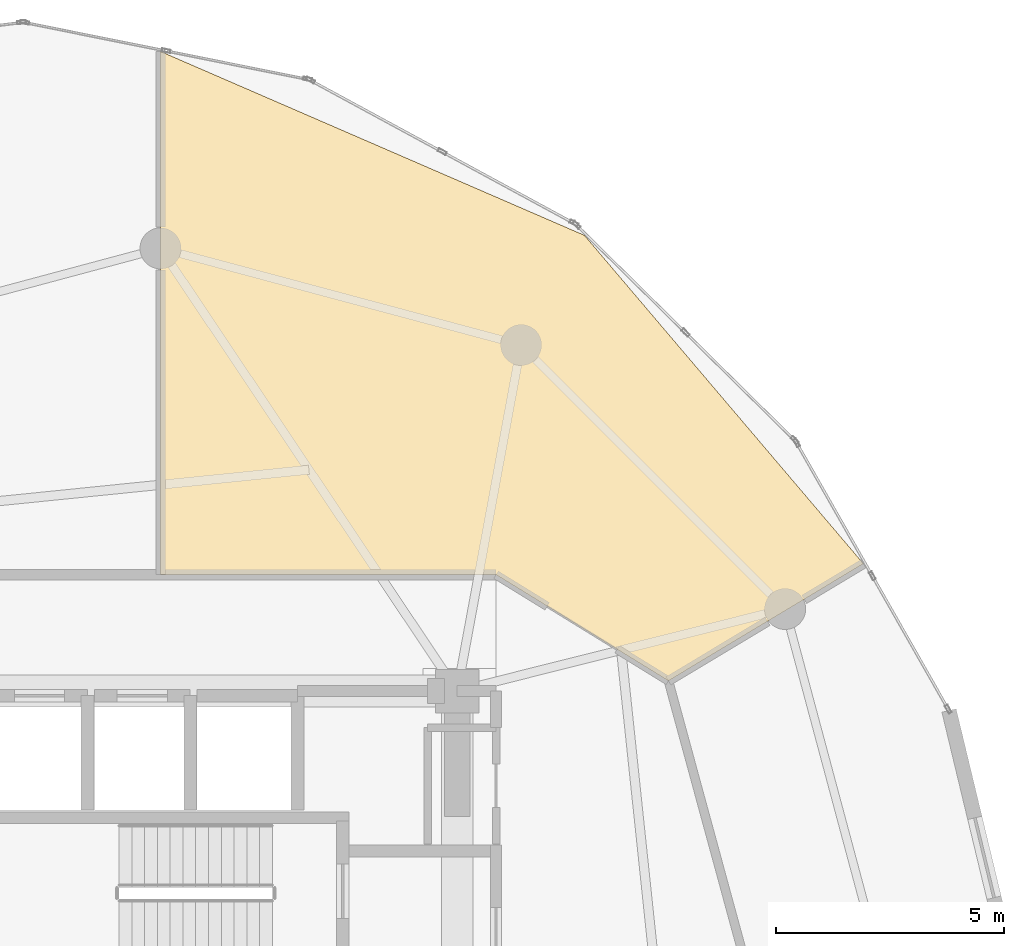
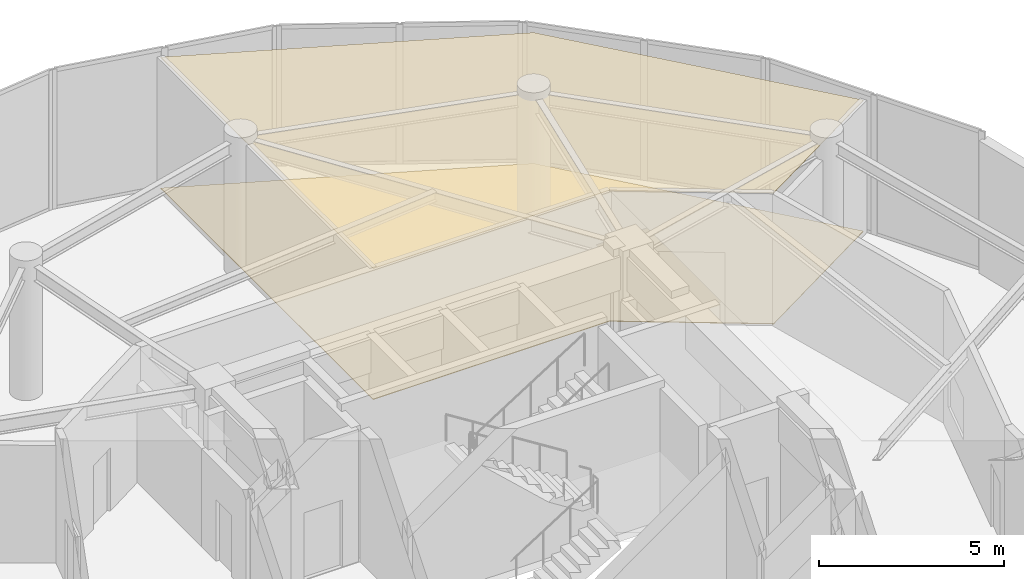
# One storey, part 23 of 23: 2 coverings.
"""IFC4 building model written with IfcOpenShell, lengths in metres."""

from ifc_helpers import new_model, si_unit, direction, frame, origin, place, context, subcontext, project, spatial, polyline, outline, extrude, material, layer, layer_set, type_object, element, save


model = new_model("IFC4")

# Units and contexts
model_context = context("Model", 3, precision=1e-05, world=origin(), true_north=direction((0.0, 1.0)))
body_context = subcontext(model_context, "Body", "Model", "MODEL_VIEW")
ifc_project = project(units=[si_unit("LENGTHUNIT", "METRE"), si_unit("AREAUNIT", "SQUARE_METRE"), si_unit("VOLUMEUNIT", "CUBIC_METRE"), si_unit("PLANEANGLEUNIT", "RADIAN"), si_unit("MASSUNIT", "GRAM", prefix="KILO")], contexts=[model_context])

# Site, building, storey
site_placement = place(None, origin())
site = spatial("IfcSite", under=ifc_project, at=site_placement, CompositionType="ELEMENT")
building_placement = place(site_placement, origin())
building = spatial("IfcBuilding", under=site, at=building_placement, Name="Solvirekh Grand Hotel", CompositionType="ELEMENT")
storey_placement = place(building_placement, frame((0.0, 0.0, 168.60009765625)))
storey = spatial("IfcBuildingStorey", under=building, at=storey_placement, Name="L43", CompositionType="ELEMENT", Elevation=168.60009765625)

# Coverings
ifc_material_1 = material(Name="Acoustic Mineral Ceiling Tile")
ifc_layer_1 = layer(ifc_material_1, 0.02490234375)
ifc_layer_set_1 = layer_set([ifc_layer_1], Name="Acoustic Mineral Ceiling Tile")
covering_type_1 = type_object("IfcCoveringType", Name="Cov_Ceiling_Acoustic", PredefinedType="CEILING", material=ifc_layer_set_1)
covering_1_placement = place(storey_placement, frame((0.0, 0.0, 4.309814453125)))
element("IfcCovering", 1, at=covering_1_placement, inside=storey, type_object=covering_type_1, Name="L43 Upper Sky Lobby acoustic ceiling", PredefinedType="CEILING", context=body_context, shape_type="SweptSolid", body=[
    extrude(outline(polyline([(0.0, 8.64990234375), (7.35009765625, 8.64990234375), (11.1279296875, 6.324951171875), (15.39990234375, 8.89111328125), (9.287109375, 16.0859375), (0.0, 20.114013671875), (0.0, 8.64990234375)])), origin(), (0.0, 0.0, 1.0), 0.01806640625),
])
ifc_material_2 = material(Name="Porcelain Stoneware Flooring", Category="masonry")
ifc_layer_2 = layer(ifc_material_2, 0.030029296875)
ifc_layer_set_2 = layer_set([ifc_layer_2], Name="Porcelain Stoneware Flooring")
covering_type_2 = type_object("IfcCoveringType", Name="Cov_Floor_Stone", PredefinedType="FLOORING", material=ifc_layer_set_2)
covering_2_placement = place(storey_placement, origin())
element("IfcCovering", 2, at=covering_2_placement, inside=storey, type_object=covering_type_2, Name="L43 Upper Sky Lobby polished granite flooring", PredefinedType="FLOORING", context=body_context, shape_type="SweptSolid", body=[
    extrude(outline(polyline([(0.0, 8.64990234375), (7.35009765625, 8.64990234375), (11.1279296875, 6.324951171875), (15.39990234375, 8.89111328125), (9.287109375, 16.0859375), (0.0, 20.114013671875), (0.0, 8.64990234375)])), origin(), (0.0, 0.0, 1.0), 0.02001953125),
])

save(model, "model.ifc")
